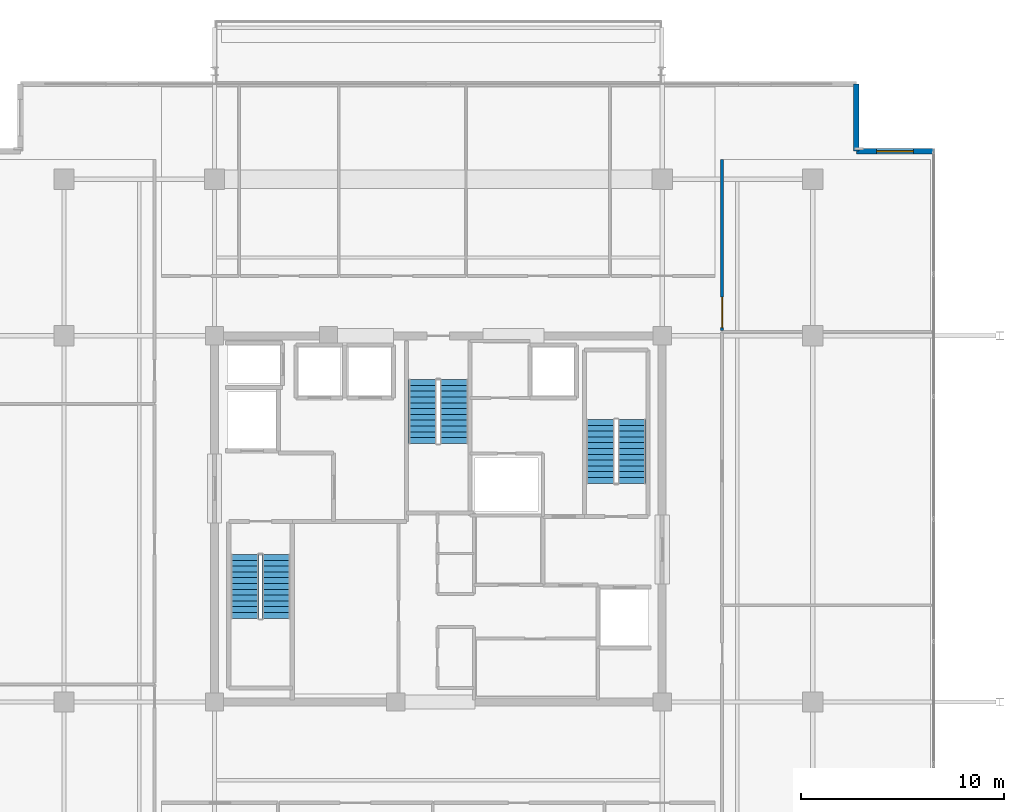
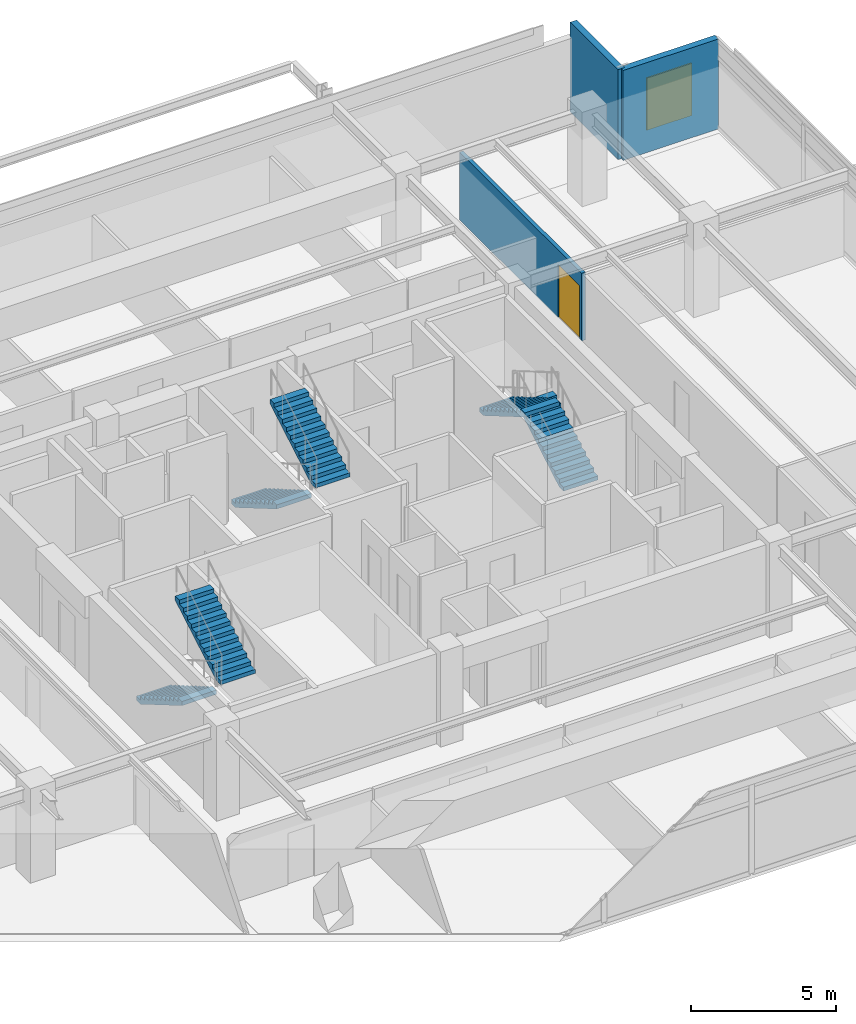
# One storey, part 16 of 20: 6 stair flights, 3 walls, 1 door, 1 window, 2 openings, 3 elements without a shape of their own.
"""IFC4 building model written with IfcOpenShell, lengths in metres."""

from ifc_helpers import new_model, si_unit, direction, frame, frame_2d, origin, place, context, subcontext, project, spatial, polyline, rectangle, outline, extrude, material, layer, layer_set, type_object, element, fill, aggregate, save


model = new_model("IFC4")

# Units and contexts
model_context = context("Model", 3, precision=1e-05, world=origin(), true_north=direction((0.0, 1.0)))
body_context = subcontext(model_context, "Body", "Model", "MODEL_VIEW")
ifc_project = project(units=[si_unit("LENGTHUNIT", "METRE"), si_unit("AREAUNIT", "SQUARE_METRE"), si_unit("VOLUMEUNIT", "CUBIC_METRE"), si_unit("PLANEANGLEUNIT", "RADIAN"), si_unit("MASSUNIT", "GRAM", prefix="KILO")], contexts=[model_context])

# Site, building, storey
site_placement = place(None, origin())
site = spatial("IfcSite", under=ifc_project, at=site_placement, CompositionType="ELEMENT")
building_placement = place(site_placement, origin())
building = spatial("IfcBuilding", under=site, at=building_placement, Name="Kovane Verandah Tower", CompositionType="ELEMENT")
storey_placement = place(building_placement, frame((0.0, 0.0, 334.800048828125)))
storey = spatial("IfcBuildingStorey", under=building, at=storey_placement, Name="L78", CompositionType="ELEMENT", Elevation=334.800048828125)

# Wall, opening, door
ifc_material_1 = material(Name="Fire-Rated Gypsum Stud Partition", Category="gypsum")
ifc_layer_1 = layer(ifc_material_1, 0.14990234375)
ifc_layer_set_1 = layer_set([ifc_layer_1], Name="Fire-Rated Gypsum Stud Partition")
wall_type_1 = type_object("IfcWallType", Name="WL-COR-150", PredefinedType="PARTITIONING", material=ifc_layer_set_1)
wall_1_placement = place(storey_placement, frame((53.949951171875, 36.759521484375, 0.0), z_axis=(0.0, 0.0, 1.0), x_axis=(0.0, 1.0, 0.0)))
wall_1 = element("IfcWall", 1, at=wall_1_placement, inside=storey, type_object=wall_type_1, Name="L78 Client Boardroom E3 Corridor Partition", PredefinedType="PARTITIONING", context=body_context, shape_type="SweptSolid", body=[
    extrude(rectangle(XDim=8.41259765625, YDim=0.14990234375, at=frame_2d((4.206298828125, 0.0))), origin(), (0.0, 0.0, 1.0), 2.849853515625),
])
opening_1_placement = place(wall_1_placement, frame((0.139892578125, 0.0, 0.0)))
opening_1 = element("IfcOpeningElement", 2, at=opening_1_placement, cuts=wall_1, Name="Opening DR-L78-013", PredefinedType="OPENING", context=body_context, shape_type="SweptSolid", body=[
    extrude(rectangle(XDim=1.5, YDim=2.25, at=frame_2d((0.75, 1.125))), frame((0.0, 0.074951171875, 0.0), z_axis=(0.0, -1.0, 0.0), x_axis=(1.0, 0.0, 0.0)), (0.0, 0.0, 1.0), 0.14990234375),
])
ifc_material_2 = material(Name="Glazed Timber Fire-Rated Double Door", Category="wood")
door_type = type_object("IfcDoorType", Name="DR-CONF-1500", OperationType="DOUBLE_DOOR_SINGLE_SWING", PredefinedType="DOOR", material=ifc_material_2)
door_placement = place(opening_1_placement, origin())
door = element("IfcDoor", 3, at=door_placement, inside=storey, type_object=door_type, Name="L78 Client Boardroom E3 Entrance Door", OperationType="DOUBLE_DOOR_SINGLE_SWING", OverallHeight=2.25, OverallWidth=1.5, PredefinedType="DOOR", context=body_context, shape_type="SweptSolid", body=[
    extrude(rectangle(XDim=1.5, YDim=2.25, at=frame_2d((0.75, 1.125))), frame((0.0, 0.02490234375, 0.0), z_axis=(0.0, -1.0, 0.0), x_axis=(1.0, 0.0, 0.0)), (0.0, 0.0, 1.0), 0.050048828125),
])
fill(opening_1, door)

# Wall, opening, window
ifc_material_3 = material(Name="Concrete C45/55 Insulated Spandrel Wall", Category="concrete")
ifc_layer_2 = layer(ifc_material_3, 0.260009765625)
ifc_layer_set_2 = layer_set([ifc_layer_2], Name="Concrete C45/55 Insulated Spandrel Wall")
wall_type_2 = type_object("IfcWallType", Name="WL-SPANDREL-260", PredefinedType="PARAPET", material=ifc_layer_set_2)
wall_2_placement = place(storey_placement, frame((64.344482421875, 45.572265625, 0.0), z_axis=(0.0, 0.0, 1.0), x_axis=(-1.0, 0.0, 0.0)))
wall_2 = element("IfcWall", 4, at=wall_2_placement, inside=storey, type_object=wall_type_2, Name="L78 NE Notch Cheek Wall 1", PredefinedType="PARAPET", context=body_context, shape_type="SweptSolid", body=[
    extrude(rectangle(XDim=3.800048828125, YDim=0.260009765625, at=frame_2d((1.89990234375, 0.0))), origin(), (0.0, 0.0, 1.0), 3.784912109375),
])
opening_2_placement = place(wall_2_placement, frame((1.0, 0.0, 0.85009765625)))
opening_2 = element("IfcOpeningElement", 5, at=opening_2_placement, cuts=wall_2, Name="Opening W-03", PredefinedType="OPENING", context=body_context, shape_type="SweptSolid", body=[
    extrude(rectangle(XDim=1.800048828125, YDim=2.199951171875, at=frame_2d((0.89990234375, 1.10009765625))), frame((0.0, 0.1298828125, 0.0), z_axis=(0.0, -1.0, 0.0), x_axis=(1.0, 0.0, 0.0)), (0.0, 0.0, 1.0), 0.260009765625),
])
ifc_material_4 = material(Name="Clear Low-E Laminated Double Glazing in Anodised Frame", Category="glass")
window_type = type_object("IfcWindowType", Name="WN-NOTCH-1800x2200", PartitioningType="SINGLE_PANEL", PredefinedType="WINDOW", material=ifc_material_4)
window_placement = place(opening_2_placement, origin())
window = element("IfcWindow", 6, at=window_placement, inside=storey, type_object=window_type, Name="L78 NE Re-Entrant Corner Operable Window", OverallHeight=2.199951171875, OverallWidth=1.800048828125, PartitioningType="SINGLE_PANEL", PredefinedType="WINDOW", context=body_context, shape_type="SweptSolid", body=[
    extrude(rectangle(XDim=1.800048828125, YDim=2.199951171875, at=frame_2d((0.89990234375, 1.10009765625))), frame((0.0, 0.030029296875, 0.0), z_axis=(0.0, -1.0, 0.0), x_axis=(1.0, 0.0, 0.0)), (0.0, 0.0, 1.0), 0.06005859375),
])
fill(opening_2, window)

# Wall
wall_3_placement = place(storey_placement, frame((60.54443359375, 45.572265625, 0.0), z_axis=(0.0, 0.0, 1.0), x_axis=(0.0, 1.0, 0.0)))
element("IfcWall", 7, at=wall_3_placement, inside=storey, type_object=wall_type_2, Name="L78 NE Notch Cheek Wall 2", PredefinedType="PARAPET", context=body_context, shape_type="SweptSolid", body=[
    extrude(rectangle(XDim=3.300048828125, YDim=0.260009765625, at=frame_2d((1.64990234375, 0.0))), origin(), (0.0, 0.0, 1.0), 3.784912109375),
])

# Stair, stair flights
ifc_material_5 = material(Name="Concrete C45/55", Category="concrete")
stair_type = type_object("IfcStairType", Name="ST-CORE-1380", PredefinedType="HALF_TURN_STAIR", material=ifc_material_5)
stair_1_placement = place(storey_placement, origin())
stair_1 = element("IfcStair", 8, at=stair_1_placement, inside=storey, type_object=stair_type, Name="L78 Exit Stair ST-01", PredefinedType="HALF_TURN_STAIR")
stair_flight_type = type_object("IfcStairFlightType", Name="STF-CORE-1380", PredefinedType="STRAIGHT", material=ifc_material_5)
stair_flight_1_placement = place(storey_placement, frame((30.489990234375, 25.75, 0.0), z_axis=(0.0, 0.0, 1.0), x_axis=(0.0, -1.0, 0.0)))
stair_flight_1 = element("IfcStairFlight", 9, at=stair_flight_1_placement, type_object=stair_flight_type, Name="ST-01 flight 1", NumberOfRisers=12, NumberOfTreads=11, PredefinedType="STRAIGHT", RiserHeight=0.166666667, TreadLength=0.285, context=body_context, shape_type="SweptSolid", body=[
    extrude(outline(polyline([(0.0, 0.0), (0.0, 0.166748046875), (0.284912109375, 0.166748046875), (0.284912109375, 0.333251953125), (0.570068359375, 0.333251953125), (0.570068359375, 0.5), (0.85498046875, 0.5), (0.85498046875, 0.666748046875), (1.139892578125, 0.666748046875), (1.139892578125, 0.833251953125), (1.425048828125, 0.833251953125), (1.425048828125, 1.0), (1.7099609375, 1.0), (1.7099609375, 1.166748046875), (1.9951171875, 1.166748046875), (1.9951171875, 1.333251953125), (2.280029296875, 1.333251953125), (2.280029296875, 1.5), (2.56494140625, 1.5), (2.56494140625, 1.666748046875), (2.85009765625, 1.666748046875), (2.85009765625, 1.833251953125), (3.135009765625, 1.833251953125), (3.135009765625, 2.0), (3.135009765625, 1.65966796875), (0.296875, 0.0), (0.0, 0.0)])), frame((0.0, 0.68994140625, 0.0), z_axis=(0.0, -1.0, 0.0), x_axis=(1.0, 0.0, 0.0)), (0.0, 0.0, 1.0), 1.3798828125),
])
stair_flight_2_placement = place(storey_placement, frame((32.030029296875, 22.614990234375, 2.0), z_axis=(0.0, 0.0, 1.0), x_axis=(0.0, 1.0, 0.0)))
stair_flight_2 = element("IfcStairFlight", 10, at=stair_flight_2_placement, type_object=stair_flight_type, Name="ST-01 flight 2", NumberOfRisers=12, NumberOfTreads=11, PredefinedType="STRAIGHT", RiserHeight=0.166666667, TreadLength=0.285, context=body_context, shape_type="SweptSolid", body=[
    extrude(outline(polyline([(0.0, 0.0), (0.0, 0.166748046875), (0.284912109375, 0.166748046875), (0.284912109375, 0.333251953125), (0.570068359375, 0.333251953125), (0.570068359375, 0.5), (0.85498046875, 0.5), (0.85498046875, 0.666748046875), (1.139892578125, 0.666748046875), (1.139892578125, 0.833251953125), (1.425048828125, 0.833251953125), (1.425048828125, 1.0), (1.7099609375, 1.0), (1.7099609375, 1.166748046875), (1.9951171875, 1.166748046875), (1.9951171875, 1.333251953125), (2.280029296875, 1.333251953125), (2.280029296875, 1.5), (2.56494140625, 1.5), (2.56494140625, 1.666748046875), (2.85009765625, 1.666748046875), (2.85009765625, 1.833251953125), (3.135009765625, 1.833251953125), (3.135009765625, 2.0), (3.135009765625, 1.65966796875), (0.296875, 0.0), (0.0, 0.0)])), frame((0.0, 0.68994140625, 0.0), z_axis=(0.0, -1.0, 0.0), x_axis=(1.0, 0.0, 0.0)), (0.0, 0.0, 1.0), 1.3798828125),
])
aggregate(stair_1, [stair_flight_1, stair_flight_2])

stair_2_placement = place(storey_placement, origin())
stair_2 = element("IfcStair", 11, at=stair_2_placement, inside=storey, type_object=stair_type, Name="L78 Exit Stair ST-02", PredefinedType="HALF_TURN_STAIR")
stair_flight_3_placement = place(storey_placement, frame((49.510009765625, 29.25, 0.0), z_axis=(0.0, 0.0, 1.0), x_axis=(0.0, 1.0, 0.0)))
stair_flight_3 = element("IfcStairFlight", 12, at=stair_flight_3_placement, type_object=stair_flight_type, Name="ST-02 flight 1", NumberOfRisers=12, NumberOfTreads=11, PredefinedType="STRAIGHT", RiserHeight=0.166666667, TreadLength=0.285, context=body_context, shape_type="SweptSolid", body=[
    extrude(outline(polyline([(0.0, 0.0), (0.0, 0.166748046875), (0.284912109375, 0.166748046875), (0.284912109375, 0.333251953125), (0.570068359375, 0.333251953125), (0.570068359375, 0.5), (0.85498046875, 0.5), (0.85498046875, 0.666748046875), (1.139892578125, 0.666748046875), (1.139892578125, 0.833251953125), (1.425048828125, 0.833251953125), (1.425048828125, 1.0), (1.7099609375, 1.0), (1.7099609375, 1.166748046875), (1.9951171875, 1.166748046875), (1.9951171875, 1.333251953125), (2.280029296875, 1.333251953125), (2.280029296875, 1.5), (2.56494140625, 1.5), (2.56494140625, 1.666748046875), (2.85009765625, 1.666748046875), (2.85009765625, 1.833251953125), (3.135009765625, 1.833251953125), (3.135009765625, 2.0), (3.135009765625, 1.65966796875), (0.296875, 0.0), (0.0, 0.0)])), frame((0.0, 0.68994140625, 0.0), z_axis=(0.0, -1.0, 0.0), x_axis=(1.0, 0.0, 0.0)), (0.0, 0.0, 1.0), 1.3798828125),
])
stair_flight_4_placement = place(storey_placement, frame((47.969970703125, 32.385009765625, 2.0), z_axis=(0.0, 0.0, 1.0), x_axis=(0.0, -1.0, 0.0)))
stair_flight_4 = element("IfcStairFlight", 13, at=stair_flight_4_placement, type_object=stair_flight_type, Name="ST-02 flight 2", NumberOfRisers=12, NumberOfTreads=11, PredefinedType="STRAIGHT", RiserHeight=0.166666667, TreadLength=0.285, context=body_context, shape_type="SweptSolid", body=[
    extrude(outline(polyline([(0.0, 0.0), (0.0, 0.166748046875), (0.284912109375, 0.166748046875), (0.284912109375, 0.333251953125), (0.570068359375, 0.333251953125), (0.570068359375, 0.5), (0.85498046875, 0.5), (0.85498046875, 0.666748046875), (1.139892578125, 0.666748046875), (1.139892578125, 0.833251953125), (1.425048828125, 0.833251953125), (1.425048828125, 1.0), (1.7099609375, 1.0), (1.7099609375, 1.166748046875), (1.9951171875, 1.166748046875), (1.9951171875, 1.333251953125), (2.280029296875, 1.333251953125), (2.280029296875, 1.5), (2.56494140625, 1.5), (2.56494140625, 1.666748046875), (2.85009765625, 1.666748046875), (2.85009765625, 1.833251953125), (3.135009765625, 1.833251953125), (3.135009765625, 2.0), (3.135009765625, 1.65966796875), (0.296875, 0.0), (0.0, 0.0)])), frame((0.0, 0.68994140625, 0.0), z_axis=(0.0, -1.0, 0.0), x_axis=(1.0, 0.0, 0.0)), (0.0, 0.0, 1.0), 1.3798828125),
])
aggregate(stair_2, [stair_flight_3, stair_flight_4])

stair_3_placement = place(storey_placement, origin())
stair_3 = element("IfcStair", 14, at=stair_3_placement, inside=storey, type_object=stair_type, Name="L78 Exit Stair ST-03", PredefinedType="HALF_TURN_STAIR")
stair_flight_5_placement = place(storey_placement, frame((39.22998046875, 34.35009765625, 0.0), z_axis=(0.0, 0.0, 1.0), x_axis=(0.0, -1.0, 0.0)))
stair_flight_5 = element("IfcStairFlight", 15, at=stair_flight_5_placement, type_object=stair_flight_type, Name="ST-03 flight 1", NumberOfRisers=12, NumberOfTreads=11, PredefinedType="STRAIGHT", RiserHeight=0.166666667, TreadLength=0.285, context=body_context, shape_type="SweptSolid", body=[
    extrude(outline(polyline([(0.0, 0.0), (0.0, 0.166748046875), (0.284912109375, 0.166748046875), (0.284912109375, 0.333251953125), (0.570068359375, 0.333251953125), (0.570068359375, 0.5), (0.85498046875, 0.5), (0.85498046875, 0.666748046875), (1.139892578125, 0.666748046875), (1.139892578125, 0.833251953125), (1.425048828125, 0.833251953125), (1.425048828125, 1.0), (1.7099609375, 1.0), (1.7099609375, 1.166748046875), (1.9951171875, 1.166748046875), (1.9951171875, 1.333251953125), (2.280029296875, 1.333251953125), (2.280029296875, 1.5), (2.56494140625, 1.5), (2.56494140625, 1.666748046875), (2.85009765625, 1.666748046875), (2.85009765625, 1.833251953125), (3.135009765625, 1.833251953125), (3.135009765625, 2.0), (3.135009765625, 1.65966796875), (0.296875, 0.0), (0.0, 0.0)])), frame((0.0, 0.68994140625, 0.0), z_axis=(0.0, -1.0, 0.0), x_axis=(1.0, 0.0, 0.0)), (0.0, 0.0, 1.0), 1.3798828125),
])
stair_flight_6_placement = place(storey_placement, frame((40.77001953125, 31.215087890625, 2.0), z_axis=(0.0, 0.0, 1.0), x_axis=(0.0, 1.0, 0.0)))
stair_flight_6 = element("IfcStairFlight", 16, at=stair_flight_6_placement, type_object=stair_flight_type, Name="ST-03 flight 2", NumberOfRisers=12, NumberOfTreads=11, PredefinedType="STRAIGHT", RiserHeight=0.166666667, TreadLength=0.285, context=body_context, shape_type="SweptSolid", body=[
    extrude(outline(polyline([(0.0, 0.0), (0.0, 0.166748046875), (0.284912109375, 0.166748046875), (0.284912109375, 0.333251953125), (0.570068359375, 0.333251953125), (0.570068359375, 0.5), (0.85498046875, 0.5), (0.85498046875, 0.666748046875), (1.139892578125, 0.666748046875), (1.139892578125, 0.833251953125), (1.425048828125, 0.833251953125), (1.425048828125, 1.0), (1.7099609375, 1.0), (1.7099609375, 1.166748046875), (1.9951171875, 1.166748046875), (1.9951171875, 1.333251953125), (2.280029296875, 1.333251953125), (2.280029296875, 1.5), (2.56494140625, 1.5), (2.56494140625, 1.666748046875), (2.85009765625, 1.666748046875), (2.85009765625, 1.833251953125), (3.135009765625, 1.833251953125), (3.135009765625, 2.0), (3.135009765625, 1.65966796875), (0.296875, 0.0), (0.0, 0.0)])), frame((0.0, 0.68994140625, 0.0), z_axis=(0.0, -1.0, 0.0), x_axis=(1.0, 0.0, 0.0)), (0.0, 0.0, 1.0), 1.3798828125),
])
aggregate(stair_3, [stair_flight_5, stair_flight_6])

save(model, "model.ifc")
